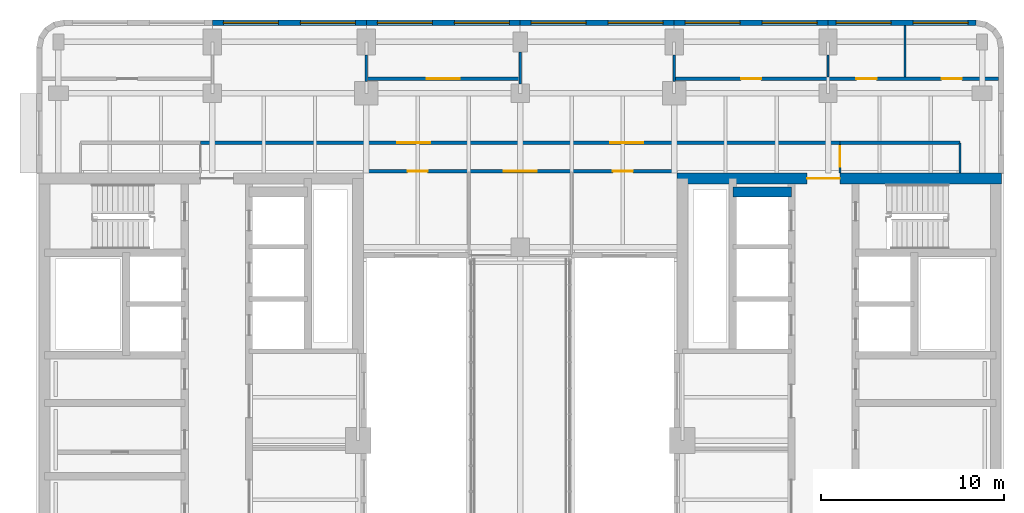
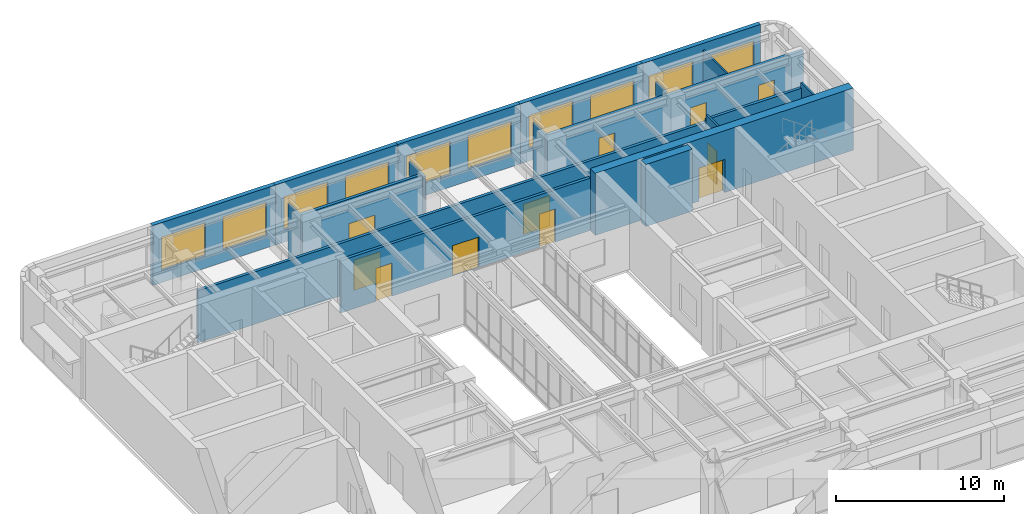
# One storey, part 10 of 14: 19 walls, 11 doors, 10 windows, 21 openings.
"""IFC4 building model written with IfcOpenShell, lengths in metres."""

from ifc_helpers import new_model, si_unit, direction, frame, frame_2d, origin, place, context, subcontext, project, spatial, rectangle, extrude, material, layer, layer_set, type_object, element, fill, save


model = new_model("IFC4")

# Units and contexts
model_context = context("Model", 3, precision=1e-05, world=origin(), true_north=direction((0.0, 1.0)))
body_context = subcontext(model_context, "Body", "Model", "MODEL_VIEW")
ifc_project = project(units=[si_unit("LENGTHUNIT", "METRE"), si_unit("AREAUNIT", "SQUARE_METRE"), si_unit("VOLUMEUNIT", "CUBIC_METRE"), si_unit("PLANEANGLEUNIT", "RADIAN"), si_unit("MASSUNIT", "GRAM", prefix="KILO")], contexts=[model_context])

# Site, building, storey
site_placement = place(None, origin())
site = spatial("IfcSite", under=ifc_project, at=site_placement, CompositionType="ELEMENT")
building_placement = place(site_placement, origin())
building = spatial("IfcBuilding", under=site, at=building_placement, Name="Claustro Exchange Tower", CompositionType="ELEMENT")
storey_placement = place(building_placement, frame((0.0, 0.0, 250.199951171875)))
storey = spatial("IfcBuildingStorey", under=building, at=storey_placement, Name="L57", CompositionType="ELEMENT", Elevation=250.199951171875)

# Walls
ifc_material_1 = material(Name="Laminated glass in aluminium frame", Category="aluminium")
ifc_layer_1 = layer(ifc_material_1, 0.1201171875)
ifc_layer_set_1 = layer_set([ifc_layer_1], Name="Laminated glass in aluminium frame")
wall_type_1 = type_object("IfcWallType", Name="P2 120 glazed partition", PredefinedType="PARTITIONING", material=ifc_layer_set_1)
wall_1_placement = place(storey_placement, frame((16.800048828125, 42.64794921875, 0.0), z_axis=(0.0, 0.0, 1.0), x_axis=(0.0, 1.0, 0.0)))
element("IfcWall", 1, at=wall_1_placement, inside=storey, type_object=wall_type_1, Name="Partition P2 L57", PredefinedType="PARTITIONING", context=body_context, shape_type="SweptSolid", body=[
    extrude(rectangle(XDim=1.453125, YDim=0.1201171875, at=frame_2d((0.7265625, 0.0))), origin(), (0.0, 0.0, 1.0), 3.989990234375),
])
wall_2_placement = place(storey_placement, frame((25.199951171875, 42.498046875, 0.0), z_axis=(0.0, 0.0, 1.0), x_axis=(0.0, 1.0, 0.0)))
element("IfcWall", 2, at=wall_2_placement, inside=storey, type_object=wall_type_1, Name="Partition P2 L57", PredefinedType="PARTITIONING", context=body_context, shape_type="SweptSolid", body=[
    extrude(rectangle(XDim=1.7529296875, YDim=0.1201171875, at=frame_2d((0.87646484375, 0.0))), origin(), (0.0, 0.0, 1.0), 3.989990234375),
])
wall_3_placement = place(storey_placement, frame((33.60009765625, 42.64794921875, 0.0), z_axis=(0.0, 0.0, 1.0), x_axis=(0.0, 1.0, 0.0)))
element("IfcWall", 3, at=wall_3_placement, inside=storey, type_object=wall_type_1, Name="Partition P2 L57", PredefinedType="PARTITIONING", context=body_context, shape_type="SweptSolid", body=[
    extrude(rectangle(XDim=1.453125, YDim=0.1201171875, at=frame_2d((0.7265625, 0.0))), origin(), (0.0, 0.0, 1.0), 3.989990234375),
])
wall_4_placement = place(storey_placement, frame((42.0, 42.89794921875, 0.0), z_axis=(0.0, 0.0, 1.0), x_axis=(0.0, 1.0, 0.0)))
element("IfcWall", 4, at=wall_4_placement, inside=storey, type_object=wall_type_1, Name="Partition P2 L57", PredefinedType="PARTITIONING", context=body_context, shape_type="SweptSolid", body=[
    extrude(rectangle(XDim=1.203125, YDim=0.1201171875, at=frame_2d((0.6015625, 0.0))), origin(), (0.0, 0.0, 1.0), 3.989990234375),
])
wall_5_placement = place(storey_placement, frame((46.199951171875, 42.89794921875, 0.0), z_axis=(0.0, 0.0, 1.0), x_axis=(0.0, 1.0, 0.0)))
element("IfcWall", 5, at=wall_5_placement, inside=storey, type_object=wall_type_1, Name="Partition P2 L57", PredefinedType="PARTITIONING", context=body_context, shape_type="SweptSolid", body=[
    extrude(rectangle(XDim=2.803955078125, YDim=0.1201171875, at=frame_2d((1.40185546875, 0.0))), origin(), (0.0, 0.0, 1.0), 3.860107421875),
])

# Wall, opening, door
wall_6_placement = place(storey_placement, frame((42.64990234375, 37.64794921875, 0.0), z_axis=(0.0, 0.0, 1.0), x_axis=(0.0, 1.0, 0.0)))
wall_6 = element("IfcWall", 6, at=wall_6_placement, inside=storey, type_object=wall_type_1, Name="Partition P2 L57", PredefinedType="PARTITIONING", context=body_context, shape_type="SweptSolid", body=[
    extrude(rectangle(XDim=1.553955078125, YDim=0.1201171875, at=frame_2d((0.77685546875, 0.0))), origin(), (0.0, 0.0, 1.0), 4.35009765625),
])
opening_1_placement = place(wall_6_placement, frame((0.35205078125, 0.0, 0.0)))
opening_1 = element("IfcOpeningElement", 7, at=opening_1_placement, cuts=wall_6, Name="Opening D8", PredefinedType="OPENING", context=body_context, shape_type="SweptSolid", body=[
    extrude(rectangle(XDim=1.10009765625, YDim=2.39990234375, at=frame_2d((0.550048828125, 1.199951171875))), frame((0.0, 0.070068359375, 0.0), z_axis=(0.0, -1.0, 0.0), x_axis=(1.0, 0.0, 0.0)), (0.0, 0.0, 1.0), 0.14013671875),
])
ifc_material_2 = material(Name="Timber door, walnut veneer", Category="wood")
door_type_1 = type_object("IfcDoorType", Name="D8 1100 x 2400 executive door", OperationType="SINGLE_SWING_LEFT", PredefinedType="DOOR", material=ifc_material_2)
door_1_placement = place(opening_1_placement, frame((1.10009765625, 0.0, 0.0), z_axis=(0.0, 0.0, 1.0), x_axis=(-1.0, 0.0, 0.0)))
door_1 = element("IfcDoor", 8, at=door_1_placement, inside=storey, type_object=door_type_1, Name="Door D8 L57", OperationType="SINGLE_SWING_LEFT", OverallHeight=2.39990234375, OverallWidth=1.10009765625, PredefinedType="DOOR", context=body_context, shape_type="SweptSolid", body=[
    extrude(rectangle(XDim=1.10009765625, YDim=2.39990234375, at=frame_2d((0.550048828125, 1.199951171875))), frame((0.0, 0.02490234375, 0.0), z_axis=(0.0, -1.0, 0.0), x_axis=(1.0, 0.0, 0.0)), (0.0, 0.0, 1.0), 0.050048828125),
])
fill(opening_1, door_1)

# Wall
wall_7_placement = place(storey_placement, frame((49.199951171875, 37.64794921875, 0.0), z_axis=(0.0, 0.0, 1.0), x_axis=(0.0, 1.0, 0.0)))
element("IfcWall", 9, at=wall_7_placement, inside=storey, type_object=wall_type_1, Name="Partition P2 L57", PredefinedType="PARTITIONING", context=body_context, shape_type="SweptSolid", body=[
    extrude(rectangle(XDim=1.652099609375, YDim=0.1201171875, at=frame_2d((0.826171875, 0.0))), origin(), (0.0, 0.0, 1.0), 4.35009765625),
])

# Wall, opening, door
ifc_material_3 = material(Name="Twin-skin gypsum board on steel studs, mineral wool", Category="steel")
ifc_layer_2 = layer(ifc_material_3, 0.199951171875)
ifc_layer_set_2 = layer_set([ifc_layer_2], Name="Twin-skin gypsum board on steel studs, mineral wool")
wall_type_2 = type_object("IfcWallType", Name="P3 200 acoustic partition", PredefinedType="PARTITIONING", material=ifc_layer_set_2)
wall_8_placement = place(storey_placement, frame((16.800048828125, 42.800048828125, 0.0), z_axis=(0.0, 0.0, 1.0), x_axis=(1.0, 0.0, 0.0)))
wall_8 = element("IfcWall", 10, at=wall_8_placement, inside=storey, type_object=wall_type_2, Name="Partition P3 L57", PredefinedType="PARTITIONING", context=body_context, shape_type="SweptSolid", body=[
    extrude(rectangle(XDim=8.39990234375, YDim=0.199951171875, at=frame_2d((4.199951171875, 0.0))), origin(), (0.0, 0.0, 1.0), 3.989990234375),
])
opening_2_placement = place(wall_8_placement, frame((3.300048828125, 0.0, 0.0)))
opening_2 = element("IfcOpeningElement", 11, at=opening_2_placement, cuts=wall_8, Name="Opening D2", PredefinedType="OPENING", context=body_context, shape_type="SweptSolid", body=[
    extrude(rectangle(XDim=1.800048828125, YDim=2.199951171875, at=frame_2d((0.89990234375, 1.10009765625))), frame((0.0, 0.10986328125, 0.0), z_axis=(0.0, -1.0, 0.0), x_axis=(1.0, 0.0, 0.0)), (0.0, 0.0, 1.0), 0.219970703125),
])
ifc_material_4 = material(Name="Timber door, oak veneer", Category="wood")
door_type_2 = type_object("IfcDoorType", Name="D2 1800 x 2200 double door", OperationType="DOUBLE_DOOR_SINGLE_SWING", PredefinedType="DOOR", material=ifc_material_4)
door_2_placement = place(opening_2_placement, origin())
door_2 = element("IfcDoor", 12, at=door_2_placement, inside=storey, type_object=door_type_2, Name="Double door D2 L57", OperationType="DOUBLE_DOOR_SINGLE_SWING", OverallHeight=2.199951171875, OverallWidth=1.800048828125, PredefinedType="DOOR", context=body_context, shape_type="SweptSolid", body=[
    extrude(rectangle(XDim=1.800048828125, YDim=2.199951171875, at=frame_2d((0.89990234375, 1.10009765625))), frame((0.0, 0.02490234375, 0.0), z_axis=(0.0, -1.0, 0.0), x_axis=(1.0, 0.0, 0.0)), (0.0, 0.0, 1.0), 0.050048828125),
])
fill(opening_2, door_2)

# Wall, openings, doors
wall_9_placement = place(storey_placement, frame((33.60009765625, 42.800048828125, 0.0), z_axis=(0.0, 0.0, 1.0), x_axis=(1.0, 0.0, 0.0)))
wall_9 = element("IfcWall", 13, at=wall_9_placement, inside=storey, type_object=wall_type_2, Name="Partition P3 L57", PredefinedType="PARTITIONING", context=body_context, shape_type="SweptSolid", body=[
    extrude(rectangle(XDim=17.701904296875, YDim=0.199951171875, at=frame_2d((8.85107421875, 0.0))), origin(), (0.0, 0.0, 1.0), 3.860107421875),
])
opening_3_placement = place(wall_9_placement, frame((3.64990234375, 0.0, 0.0)))
opening_3 = element("IfcOpeningElement", 14, at=opening_3_placement, cuts=wall_9, Name="Opening D8", PredefinedType="OPENING", context=body_context, shape_type="SweptSolid", body=[
    extrude(rectangle(XDim=1.10009765625, YDim=2.39990234375, at=frame_2d((0.550048828125, 1.199951171875))), frame((0.0, 0.10986328125, 0.0), z_axis=(0.0, -1.0, 0.0), x_axis=(1.0, 0.0, 0.0)), (0.0, 0.0, 1.0), 0.219970703125),
])
opening_4_placement = place(wall_9_placement, frame((9.949951171875, 0.0, 0.0)))
opening_4 = element("IfcOpeningElement", 15, at=opening_4_placement, cuts=wall_9, Name="Opening D8", PredefinedType="OPENING", context=body_context, shape_type="SweptSolid", body=[
    extrude(rectangle(XDim=1.10009765625, YDim=2.39990234375, at=frame_2d((0.550048828125, 1.199951171875))), frame((0.0, 0.10986328125, 0.0), z_axis=(0.0, -1.0, 0.0), x_axis=(1.0, 0.0, 0.0)), (0.0, 0.0, 1.0), 0.219970703125),
])
opening_5_placement = place(wall_9_placement, frame((14.60009765625, 0.0, 0.0)))
opening_5 = element("IfcOpeningElement", 16, at=opening_5_placement, cuts=wall_9, Name="Opening D8", PredefinedType="OPENING", context=body_context, shape_type="SweptSolid", body=[
    extrude(rectangle(XDim=1.10009765625, YDim=2.39990234375, at=frame_2d((0.550048828125, 1.199951171875))), frame((0.0, 0.10986328125, 0.0), z_axis=(0.0, -1.0, 0.0), x_axis=(1.0, 0.0, 0.0)), (0.0, 0.0, 1.0), 0.219970703125),
])
door_3_placement = place(opening_3_placement, origin())
door_3 = element("IfcDoor", 17, at=door_3_placement, inside=storey, type_object=door_type_1, Name="Door D8 L57", OperationType="SINGLE_SWING_RIGHT", OverallHeight=2.39990234375, OverallWidth=1.10009765625, PredefinedType="DOOR", context=body_context, shape_type="SweptSolid", body=[
    extrude(rectangle(XDim=1.10009765625, YDim=2.39990234375, at=frame_2d((0.550048828125, 1.199951171875))), frame((0.0, 0.02490234375, 0.0), z_axis=(0.0, -1.0, 0.0), x_axis=(1.0, 0.0, 0.0)), (0.0, 0.0, 1.0), 0.050048828125),
])
fill(opening_3, door_3)
door_4_placement = place(opening_4_placement, origin())
door_4 = element("IfcDoor", 18, at=door_4_placement, inside=storey, type_object=door_type_1, Name="Door D8 L57", OperationType="SINGLE_SWING_LEFT", OverallHeight=2.39990234375, OverallWidth=1.10009765625, PredefinedType="DOOR", context=body_context, shape_type="SweptSolid", body=[
    extrude(rectangle(XDim=1.10009765625, YDim=2.39990234375, at=frame_2d((0.550048828125, 1.199951171875))), frame((0.0, 0.02490234375, 0.0), z_axis=(0.0, -1.0, 0.0), x_axis=(1.0, 0.0, 0.0)), (0.0, 0.0, 1.0), 0.050048828125),
])
fill(opening_4, door_4)
door_5_placement = place(opening_5_placement, origin())
door_5 = element("IfcDoor", 19, at=door_5_placement, inside=storey, type_object=door_type_1, Name="Door D8 L57", OperationType="SINGLE_SWING_LEFT", OverallHeight=2.39990234375, OverallWidth=1.10009765625, PredefinedType="DOOR", context=body_context, shape_type="SweptSolid", body=[
    extrude(rectangle(XDim=1.10009765625, YDim=2.39990234375, at=frame_2d((0.550048828125, 1.199951171875))), frame((0.0, 0.02490234375, 0.0), z_axis=(0.0, -1.0, 0.0), x_axis=(1.0, 0.0, 0.0)), (0.0, 0.0, 1.0), 0.050048828125),
])
fill(opening_5, door_5)

wall_10_placement = place(storey_placement, frame((7.748046875, 39.300048828125, 0.0), z_axis=(0.0, 0.0, 1.0), x_axis=(1.0, 0.0, 0.0)))
wall_10 = element("IfcWall", 20, at=wall_10_placement, inside=storey, type_object=wall_type_2, Name="Partition P3 L57", PredefinedType="PARTITIONING", context=body_context, shape_type="SweptSolid", body=[
    extrude(rectangle(XDim=34.904052734375, YDim=0.199951171875, at=frame_2d((17.4521484375, 0.0))), origin(), (0.0, 0.0, 1.0), 3.800048828125),
])
opening_6_placement = place(wall_10_placement, frame((10.7353515625, 0.0, 0.0)))
opening_6 = element("IfcOpeningElement", 21, at=opening_6_placement, cuts=wall_10, Name="Opening D2", PredefinedType="OPENING", context=body_context, shape_type="SweptSolid", body=[
    extrude(rectangle(XDim=1.800048828125, YDim=2.199951171875, at=frame_2d((0.89990234375, 1.10009765625))), frame((0.0, 0.10986328125, 0.0), z_axis=(0.0, -1.0, 0.0), x_axis=(1.0, 0.0, 0.0)), (0.0, 0.0, 1.0), 0.219970703125),
])
opening_7_placement = place(wall_10_placement, frame((22.36865234375, 0.0, 0.0)))
opening_7 = element("IfcOpeningElement", 22, at=opening_7_placement, cuts=wall_10, Name="Opening D2", PredefinedType="OPENING", context=body_context, shape_type="SweptSolid", body=[
    extrude(rectangle(XDim=1.800048828125, YDim=2.199951171875, at=frame_2d((0.89990234375, 1.10009765625))), frame((0.0, 0.10986328125, 0.0), z_axis=(0.0, -1.0, 0.0), x_axis=(1.0, 0.0, 0.0)), (0.0, 0.0, 1.0), 0.219970703125),
])
door_6_placement = place(opening_6_placement, frame((1.800048828125, 0.0, 0.0), z_axis=(0.0, 0.0, 1.0), x_axis=(-1.0, 0.0, 0.0)))
door_6 = element("IfcDoor", 23, at=door_6_placement, inside=storey, type_object=door_type_2, Name="Double door D2 L57", OperationType="DOUBLE_DOOR_SINGLE_SWING", OverallHeight=2.199951171875, OverallWidth=1.800048828125, PredefinedType="DOOR", context=body_context, shape_type="SweptSolid", body=[
    extrude(rectangle(XDim=1.800048828125, YDim=2.199951171875, at=frame_2d((0.89990234375, 1.10009765625))), frame((0.0, 0.02490234375, 0.0), z_axis=(0.0, -1.0, 0.0), x_axis=(1.0, 0.0, 0.0)), (0.0, 0.0, 1.0), 0.050048828125),
])
fill(opening_6, door_6)
door_7_placement = place(opening_7_placement, frame((1.800048828125, 0.0, 0.0), z_axis=(0.0, 0.0, 1.0), x_axis=(-1.0, 0.0, 0.0)))
door_7 = element("IfcDoor", 24, at=door_7_placement, inside=storey, type_object=door_type_2, Name="Double door D2 L57", OperationType="DOUBLE_DOOR_SINGLE_SWING", OverallHeight=2.199951171875, OverallWidth=1.800048828125, PredefinedType="DOOR", context=body_context, shape_type="SweptSolid", body=[
    extrude(rectangle(XDim=1.800048828125, YDim=2.199951171875, at=frame_2d((0.89990234375, 1.10009765625))), frame((0.0, 0.02490234375, 0.0), z_axis=(0.0, -1.0, 0.0), x_axis=(1.0, 0.0, 0.0)), (0.0, 0.0, 1.0), 0.050048828125),
])
fill(opening_7, door_7)

# Wall
wall_11_placement = place(storey_placement, frame((42.64794921875, 39.300048828125, 0.0), z_axis=(0.0, 0.0, 1.0), x_axis=(1.0, 0.0, 0.0)))
element("IfcWall", 25, at=wall_11_placement, inside=storey, type_object=wall_type_2, Name="Partition P3 L57", PredefinedType="PARTITIONING", context=body_context, shape_type="SweptSolid", body=[
    extrude(rectangle(XDim=6.552001953125, YDim=0.199951171875, at=frame_2d((3.27587890625, 0.0))), origin(), (0.0, 0.0, 1.0), 3.989990234375),
])

# Wall, openings, doors
wall_12_placement = place(storey_placement, frame((16.64990234375, 37.75, 0.0), z_axis=(0.0, 0.0, 1.0), x_axis=(1.0, 0.0, 0.0)))
wall_12 = element("IfcWall", 26, at=wall_12_placement, inside=storey, type_object=wall_type_2, Name="Partition P3 L57", PredefinedType="PARTITIONING", context=body_context, shape_type="SweptSolid", body=[
    extrude(rectangle(XDim=17.10009765625, YDim=0.199951171875, at=frame_2d((8.550048828125, 0.0))), origin(), (0.0, 0.0, 1.0), 3.800048828125),
])
opening_8_placement = place(wall_12_placement, frame((2.400390625, 0.0, 0.0)))
opening_8 = element("IfcOpeningElement", 27, at=opening_8_placement, cuts=wall_12, Name="Opening D8", PredefinedType="OPENING", context=body_context, shape_type="SweptSolid", body=[
    extrude(rectangle(XDim=1.10009765625, YDim=2.39990234375, at=frame_2d((0.550048828125, 1.199951171875))), frame((0.0, 0.10986328125, 0.0), z_axis=(0.0, -1.0, 0.0), x_axis=(1.0, 0.0, 0.0)), (0.0, 0.0, 1.0), 0.219970703125),
])
opening_9_placement = place(wall_12_placement, frame((7.650146484375, 0.0, 0.0)))
opening_9 = element("IfcOpeningElement", 28, at=opening_9_placement, cuts=wall_12, Name="Opening D2", PredefinedType="OPENING", context=body_context, shape_type="SweptSolid", body=[
    extrude(rectangle(XDim=1.800048828125, YDim=2.199951171875, at=frame_2d((0.89990234375, 1.10009765625))), frame((0.0, 0.10986328125, 0.0), z_axis=(0.0, -1.0, 0.0), x_axis=(1.0, 0.0, 0.0)), (0.0, 0.0, 1.0), 0.219970703125),
])
opening_10_placement = place(wall_12_placement, frame((13.60009765625, 0.0, 0.0)))
opening_10 = element("IfcOpeningElement", 29, at=opening_10_placement, cuts=wall_12, Name="Opening D8", PredefinedType="OPENING", context=body_context, shape_type="SweptSolid", body=[
    extrude(rectangle(XDim=1.10009765625, YDim=2.39990234375, at=frame_2d((0.550048828125, 1.199951171875))), frame((0.0, 0.10986328125, 0.0), z_axis=(0.0, -1.0, 0.0), x_axis=(1.0, 0.0, 0.0)), (0.0, 0.0, 1.0), 0.219970703125),
])
door_8_placement = place(opening_9_placement, origin())
door_8 = element("IfcDoor", 30, at=door_8_placement, inside=storey, type_object=door_type_2, Name="Double door D2 L57", OperationType="DOUBLE_DOOR_SINGLE_SWING", OverallHeight=2.199951171875, OverallWidth=1.800048828125, PredefinedType="DOOR", context=body_context, shape_type="SweptSolid", body=[
    extrude(rectangle(XDim=1.800048828125, YDim=2.199951171875, at=frame_2d((0.89990234375, 1.10009765625))), frame((0.0, 0.02490234375, 0.0), z_axis=(0.0, -1.0, 0.0), x_axis=(1.0, 0.0, 0.0)), (0.0, 0.0, 1.0), 0.050048828125),
])
fill(opening_9, door_8)
door_9_placement = place(opening_8_placement, frame((1.10009765625, 0.0, 0.0), z_axis=(0.0, 0.0, 1.0), x_axis=(-1.0, 0.0, 0.0)))
door_9 = element("IfcDoor", 31, at=door_9_placement, inside=storey, type_object=door_type_1, Name="Door D8 L57", OperationType="SINGLE_SWING_LEFT", OverallHeight=2.39990234375, OverallWidth=1.10009765625, PredefinedType="DOOR", context=body_context, shape_type="SweptSolid", body=[
    extrude(rectangle(XDim=1.10009765625, YDim=2.39990234375, at=frame_2d((0.550048828125, 1.199951171875))), frame((0.0, 0.02490234375, 0.0), z_axis=(0.0, -1.0, 0.0), x_axis=(1.0, 0.0, 0.0)), (0.0, 0.0, 1.0), 0.050048828125),
])
fill(opening_8, door_9)
door_10_placement = place(opening_10_placement, frame((1.10009765625, 0.0, 0.0), z_axis=(0.0, 0.0, 1.0), x_axis=(-1.0, 0.0, 0.0)))
door_10 = element("IfcDoor", 32, at=door_10_placement, inside=storey, type_object=door_type_1, Name="Door D8 L57", OperationType="SINGLE_SWING_LEFT", OverallHeight=2.39990234375, OverallWidth=1.10009765625, PredefinedType="DOOR", context=body_context, shape_type="SweptSolid", body=[
    extrude(rectangle(XDim=1.10009765625, YDim=2.39990234375, at=frame_2d((0.550048828125, 1.199951171875))), frame((0.0, 0.02490234375, 0.0), z_axis=(0.0, -1.0, 0.0), x_axis=(1.0, 0.0, 0.0)), (0.0, 0.0, 1.0), 0.050048828125),
])
fill(opening_10, door_10)

# Wall, openings, windows
ifc_material_5 = material(Name="Concrete HA-40 (C40/50), precast, white cement, acid-etched", Category="concrete")
ifc_layer_3 = layer(ifc_material_5, 0.300048828125)
ifc_layer_set_3 = layer_set([ifc_layer_3], Name="Concrete HA-40 (C40/50), precast, white cement, acid-etched")
wall_type_3 = type_object("IfcWallType", Name="PC1 300 precast concrete pier panel", PredefinedType="SOLIDWALL", material=ifc_layer_set_3)
wall_13_placement = place(storey_placement, frame((8.39990234375, 45.85009765625, 0.0), z_axis=(0.0, 0.0, 1.0), x_axis=(1.0, 0.0, 0.0)))
wall_13 = element("IfcWall", 33, at=wall_13_placement, inside=storey, type_object=wall_type_3, Name="Precast pier panel PC1 L57", PredefinedType="SOLIDWALL", context=body_context, shape_type="SweptSolid", body=[
    extrude(rectangle(XDim=8.400146484375, YDim=0.300048828125, at=frame_2d((4.2001953125, 0.0))), origin(), (0.0, 0.0, 1.0), 4.35009765625),
])
opening_11_placement = place(wall_13_placement, frame((0.60009765625, 0.0, 0.89990234375)))
opening_11 = element("IfcOpeningElement", 34, at=opening_11_placement, cuts=wall_13, Name="Opening W3", PredefinedType="OPENING", context=body_context, shape_type="SweptSolid", body=[
    extrude(rectangle(XDim=3.0, YDim=2.39990234375, at=frame_2d((1.5, 1.199951171875))), frame((0.0, 0.159912109375, 0.0), z_axis=(0.0, -1.0, 0.0), x_axis=(1.0, 0.0, 0.0)), (0.0, 0.0, 1.0), 0.320068359375),
])
opening_12_placement = place(wall_13_placement, frame((4.800048828125, 0.0, 0.89990234375)))
opening_12 = element("IfcOpeningElement", 35, at=opening_12_placement, cuts=wall_13, Name="Opening W3", PredefinedType="OPENING", context=body_context, shape_type="SweptSolid", body=[
    extrude(rectangle(XDim=3.0, YDim=2.39990234375, at=frame_2d((1.5, 1.199951171875))), frame((0.0, 0.159912109375, 0.0), z_axis=(0.0, -1.0, 0.0), x_axis=(1.0, 0.0, 0.0)), (0.0, 0.0, 1.0), 0.320068359375),
])
ifc_material_6 = material(Name="Aluminium frame, clear double glazing", Category="aluminium")
window_type = type_object("IfcWindowType", Name="W3 3000 x 2400 window", PartitioningType="SINGLE_PANEL", PredefinedType="WINDOW", material=ifc_material_6)
window_1_placement = place(opening_11_placement, origin())
window_1 = element("IfcWindow", 36, at=window_1_placement, inside=storey, type_object=window_type, Name="Window W3 L57", OverallHeight=2.39990234375, OverallWidth=3.0, PartitioningType="SINGLE_PANEL", PredefinedType="WINDOW", context=body_context, shape_type="SweptSolid", body=[
    extrude(rectangle(XDim=3.0, YDim=2.39990234375, at=frame_2d((1.5, 1.199951171875))), frame((0.0, 0.030029296875, 0.0), z_axis=(0.0, -1.0, 0.0), x_axis=(1.0, 0.0, 0.0)), (0.0, 0.0, 1.0), 0.06005859375),
])
fill(opening_11, window_1)
window_2_placement = place(opening_12_placement, origin())
window_2 = element("IfcWindow", 37, at=window_2_placement, inside=storey, type_object=window_type, Name="Window W3 L57", OverallHeight=2.39990234375, OverallWidth=3.0, PartitioningType="SINGLE_PANEL", PredefinedType="WINDOW", context=body_context, shape_type="SweptSolid", body=[
    extrude(rectangle(XDim=3.0, YDim=2.39990234375, at=frame_2d((1.5, 1.199951171875))), frame((0.0, 0.030029296875, 0.0), z_axis=(0.0, -1.0, 0.0), x_axis=(1.0, 0.0, 0.0)), (0.0, 0.0, 1.0), 0.06005859375),
])
fill(opening_12, window_2)

wall_14_placement = place(storey_placement, frame((16.800048828125, 45.85009765625, 0.0), z_axis=(0.0, 0.0, 1.0), x_axis=(1.0, 0.0, 0.0)))
wall_14 = element("IfcWall", 38, at=wall_14_placement, inside=storey, type_object=wall_type_3, Name="Precast pier panel PC1 L57", PredefinedType="SOLIDWALL", context=body_context, shape_type="SweptSolid", body=[
    extrude(rectangle(XDim=8.39990234375, YDim=0.300048828125, at=frame_2d((4.199951171875, 0.0))), origin(), (0.0, 0.0, 1.0), 4.35009765625),
])
opening_13_placement = place(wall_14_placement, frame((0.60009765625, 0.0, 0.89990234375)))
opening_13 = element("IfcOpeningElement", 39, at=opening_13_placement, cuts=wall_14, Name="Opening W3", PredefinedType="OPENING", context=body_context, shape_type="SweptSolid", body=[
    extrude(rectangle(XDim=3.0, YDim=2.39990234375, at=frame_2d((1.5, 1.199951171875))), frame((0.0, 0.159912109375, 0.0), z_axis=(0.0, -1.0, 0.0), x_axis=(1.0, 0.0, 0.0)), (0.0, 0.0, 1.0), 0.320068359375),
])
opening_14_placement = place(wall_14_placement, frame((4.800048828125, 0.0, 0.89990234375)))
opening_14 = element("IfcOpeningElement", 40, at=opening_14_placement, cuts=wall_14, Name="Opening W3", PredefinedType="OPENING", context=body_context, shape_type="SweptSolid", body=[
    extrude(rectangle(XDim=3.0, YDim=2.39990234375, at=frame_2d((1.5, 1.199951171875))), frame((0.0, 0.159912109375, 0.0), z_axis=(0.0, -1.0, 0.0), x_axis=(1.0, 0.0, 0.0)), (0.0, 0.0, 1.0), 0.320068359375),
])
window_3_placement = place(opening_13_placement, origin())
window_3 = element("IfcWindow", 41, at=window_3_placement, inside=storey, type_object=window_type, Name="Window W3 L57", OverallHeight=2.39990234375, OverallWidth=3.0, PartitioningType="SINGLE_PANEL", PredefinedType="WINDOW", context=body_context, shape_type="SweptSolid", body=[
    extrude(rectangle(XDim=3.0, YDim=2.39990234375, at=frame_2d((1.5, 1.199951171875))), frame((0.0, 0.030029296875, 0.0), z_axis=(0.0, -1.0, 0.0), x_axis=(1.0, 0.0, 0.0)), (0.0, 0.0, 1.0), 0.06005859375),
])
fill(opening_13, window_3)
window_4_placement = place(opening_14_placement, origin())
window_4 = element("IfcWindow", 42, at=window_4_placement, inside=storey, type_object=window_type, Name="Window W3 L57", OverallHeight=2.39990234375, OverallWidth=3.0, PartitioningType="SINGLE_PANEL", PredefinedType="WINDOW", context=body_context, shape_type="SweptSolid", body=[
    extrude(rectangle(XDim=3.0, YDim=2.39990234375, at=frame_2d((1.5, 1.199951171875))), frame((0.0, 0.030029296875, 0.0), z_axis=(0.0, -1.0, 0.0), x_axis=(1.0, 0.0, 0.0)), (0.0, 0.0, 1.0), 0.06005859375),
])
fill(opening_14, window_4)

wall_15_placement = place(storey_placement, frame((25.199951171875, 45.85009765625, 0.0), z_axis=(0.0, 0.0, 1.0), x_axis=(1.0, 0.0, 0.0)))
wall_15 = element("IfcWall", 43, at=wall_15_placement, inside=storey, type_object=wall_type_3, Name="Precast pier panel PC1 L57", PredefinedType="SOLIDWALL", context=body_context, shape_type="SweptSolid", body=[
    extrude(rectangle(XDim=8.400146484375, YDim=0.300048828125, at=frame_2d((4.2001953125, 0.0))), origin(), (0.0, 0.0, 1.0), 4.35009765625),
])
opening_15_placement = place(wall_15_placement, frame((0.60009765625, 0.0, 0.89990234375)))
opening_15 = element("IfcOpeningElement", 44, at=opening_15_placement, cuts=wall_15, Name="Opening W3", PredefinedType="OPENING", context=body_context, shape_type="SweptSolid", body=[
    extrude(rectangle(XDim=3.0, YDim=2.39990234375, at=frame_2d((1.5, 1.199951171875))), frame((0.0, 0.159912109375, 0.0), z_axis=(0.0, -1.0, 0.0), x_axis=(1.0, 0.0, 0.0)), (0.0, 0.0, 1.0), 0.320068359375),
])
opening_16_placement = place(wall_15_placement, frame((4.800048828125, 0.0, 0.89990234375)))
opening_16 = element("IfcOpeningElement", 45, at=opening_16_placement, cuts=wall_15, Name="Opening W3", PredefinedType="OPENING", context=body_context, shape_type="SweptSolid", body=[
    extrude(rectangle(XDim=3.0, YDim=2.39990234375, at=frame_2d((1.5, 1.199951171875))), frame((0.0, 0.159912109375, 0.0), z_axis=(0.0, -1.0, 0.0), x_axis=(1.0, 0.0, 0.0)), (0.0, 0.0, 1.0), 0.320068359375),
])
window_5_placement = place(opening_15_placement, origin())
window_5 = element("IfcWindow", 46, at=window_5_placement, inside=storey, type_object=window_type, Name="Window W3 L57", OverallHeight=2.39990234375, OverallWidth=3.0, PartitioningType="SINGLE_PANEL", PredefinedType="WINDOW", context=body_context, shape_type="SweptSolid", body=[
    extrude(rectangle(XDim=3.0, YDim=2.39990234375, at=frame_2d((1.5, 1.199951171875))), frame((0.0, 0.030029296875, 0.0), z_axis=(0.0, -1.0, 0.0), x_axis=(1.0, 0.0, 0.0)), (0.0, 0.0, 1.0), 0.06005859375),
])
fill(opening_15, window_5)
window_6_placement = place(opening_16_placement, origin())
window_6 = element("IfcWindow", 47, at=window_6_placement, inside=storey, type_object=window_type, Name="Window W3 L57", OverallHeight=2.39990234375, OverallWidth=3.0, PartitioningType="SINGLE_PANEL", PredefinedType="WINDOW", context=body_context, shape_type="SweptSolid", body=[
    extrude(rectangle(XDim=3.0, YDim=2.39990234375, at=frame_2d((1.5, 1.199951171875))), frame((0.0, 0.030029296875, 0.0), z_axis=(0.0, -1.0, 0.0), x_axis=(1.0, 0.0, 0.0)), (0.0, 0.0, 1.0), 0.06005859375),
])
fill(opening_16, window_6)

wall_16_placement = place(storey_placement, frame((33.60009765625, 45.85009765625, 0.0), z_axis=(0.0, 0.0, 1.0), x_axis=(1.0, 0.0, 0.0)))
wall_16 = element("IfcWall", 48, at=wall_16_placement, inside=storey, type_object=wall_type_3, Name="Precast pier panel PC1 L57", PredefinedType="SOLIDWALL", context=body_context, shape_type="SweptSolid", body=[
    extrude(rectangle(XDim=8.39990234375, YDim=0.300048828125, at=frame_2d((4.199951171875, 0.0))), origin(), (0.0, 0.0, 1.0), 4.35009765625),
])
opening_17_placement = place(wall_16_placement, frame((0.60009765625, 0.0, 0.89990234375)))
opening_17 = element("IfcOpeningElement", 49, at=opening_17_placement, cuts=wall_16, Name="Opening W3", PredefinedType="OPENING", context=body_context, shape_type="SweptSolid", body=[
    extrude(rectangle(XDim=3.0, YDim=2.39990234375, at=frame_2d((1.5, 1.199951171875))), frame((0.0, 0.159912109375, 0.0), z_axis=(0.0, -1.0, 0.0), x_axis=(1.0, 0.0, 0.0)), (0.0, 0.0, 1.0), 0.320068359375),
])
opening_18_placement = place(wall_16_placement, frame((4.800048828125, 0.0, 0.89990234375)))
opening_18 = element("IfcOpeningElement", 50, at=opening_18_placement, cuts=wall_16, Name="Opening W3", PredefinedType="OPENING", context=body_context, shape_type="SweptSolid", body=[
    extrude(rectangle(XDim=3.0, YDim=2.39990234375, at=frame_2d((1.5, 1.199951171875))), frame((0.0, 0.159912109375, 0.0), z_axis=(0.0, -1.0, 0.0), x_axis=(1.0, 0.0, 0.0)), (0.0, 0.0, 1.0), 0.320068359375),
])
window_7_placement = place(opening_17_placement, origin())
window_7 = element("IfcWindow", 51, at=window_7_placement, inside=storey, type_object=window_type, Name="Window W3 L57", OverallHeight=2.39990234375, OverallWidth=3.0, PartitioningType="SINGLE_PANEL", PredefinedType="WINDOW", context=body_context, shape_type="SweptSolid", body=[
    extrude(rectangle(XDim=3.0, YDim=2.39990234375, at=frame_2d((1.5, 1.199951171875))), frame((0.0, 0.030029296875, 0.0), z_axis=(0.0, -1.0, 0.0), x_axis=(1.0, 0.0, 0.0)), (0.0, 0.0, 1.0), 0.06005859375),
])
fill(opening_17, window_7)
window_8_placement = place(opening_18_placement, origin())
window_8 = element("IfcWindow", 52, at=window_8_placement, inside=storey, type_object=window_type, Name="Window W3 L57", OverallHeight=2.39990234375, OverallWidth=3.0, PartitioningType="SINGLE_PANEL", PredefinedType="WINDOW", context=body_context, shape_type="SweptSolid", body=[
    extrude(rectangle(XDim=3.0, YDim=2.39990234375, at=frame_2d((1.5, 1.199951171875))), frame((0.0, 0.030029296875, 0.0), z_axis=(0.0, -1.0, 0.0), x_axis=(1.0, 0.0, 0.0)), (0.0, 0.0, 1.0), 0.06005859375),
])
fill(opening_18, window_8)

wall_17_placement = place(storey_placement, frame((42.0, 45.85009765625, 0.0), z_axis=(0.0, 0.0, 1.0), x_axis=(1.0, 0.0, 0.0)))
wall_17 = element("IfcWall", 53, at=wall_17_placement, inside=storey, type_object=wall_type_3, Name="Precast pier panel PC1 L57", PredefinedType="SOLIDWALL", context=body_context, shape_type="SweptSolid", body=[
    extrude(rectangle(XDim=8.085205078125, YDim=0.300048828125, at=frame_2d((4.04248046875, 0.0))), origin(), (0.0, 0.0, 1.0), 4.35009765625),
])
opening_19_placement = place(wall_17_placement, frame((0.442626953125, 0.0, 0.89990234375)))
opening_19 = element("IfcOpeningElement", 54, at=opening_19_placement, cuts=wall_17, Name="Opening W3", PredefinedType="OPENING", context=body_context, shape_type="SweptSolid", body=[
    extrude(rectangle(XDim=3.0, YDim=2.39990234375, at=frame_2d((1.5, 1.199951171875))), frame((0.0, 0.159912109375, 0.0), z_axis=(0.0, -1.0, 0.0), x_axis=(1.0, 0.0, 0.0)), (0.0, 0.0, 1.0), 0.320068359375),
])
opening_20_placement = place(wall_17_placement, frame((4.642578125, 0.0, 0.89990234375)))
opening_20 = element("IfcOpeningElement", 55, at=opening_20_placement, cuts=wall_17, Name="Opening W3", PredefinedType="OPENING", context=body_context, shape_type="SweptSolid", body=[
    extrude(rectangle(XDim=3.0, YDim=2.39990234375, at=frame_2d((1.5, 1.199951171875))), frame((0.0, 0.159912109375, 0.0), z_axis=(0.0, -1.0, 0.0), x_axis=(1.0, 0.0, 0.0)), (0.0, 0.0, 1.0), 0.320068359375),
])
window_9_placement = place(opening_19_placement, origin())
window_9 = element("IfcWindow", 56, at=window_9_placement, inside=storey, type_object=window_type, Name="Window W3 L57", OverallHeight=2.39990234375, OverallWidth=3.0, PartitioningType="SINGLE_PANEL", PredefinedType="WINDOW", context=body_context, shape_type="SweptSolid", body=[
    extrude(rectangle(XDim=3.0, YDim=2.39990234375, at=frame_2d((1.5, 1.199951171875))), frame((0.0, 0.030029296875, 0.0), z_axis=(0.0, -1.0, 0.0), x_axis=(1.0, 0.0, 0.0)), (0.0, 0.0, 1.0), 0.06005859375),
])
fill(opening_19, window_9)
window_10_placement = place(opening_20_placement, origin())
window_10 = element("IfcWindow", 57, at=window_10_placement, inside=storey, type_object=window_type, Name="Window W3 L57", OverallHeight=2.39990234375, OverallWidth=3.0, PartitioningType="SINGLE_PANEL", PredefinedType="WINDOW", context=body_context, shape_type="SweptSolid", body=[
    extrude(rectangle(XDim=3.0, YDim=2.39990234375, at=frame_2d((1.5, 1.199951171875))), frame((0.0, 0.030029296875, 0.0), z_axis=(0.0, -1.0, 0.0), x_axis=(1.0, 0.0, 0.0)), (0.0, 0.0, 1.0), 0.06005859375),
])
fill(opening_20, window_10)

# Wall, opening, door
ifc_material_7 = material(Name="Concrete HA-50 (C50/60)", Category="concrete")
ifc_layer_4 = layer(ifc_material_7, 0.60009765625)
ifc_layer_set_4 = layer_set([ifc_layer_4], Name="Concrete HA-50 (C50/60)")
wall_type_4 = type_object("IfcWallType", Name="SW3 600 core shear wall", PredefinedType="SHEAR", material=ifc_layer_set_4)
wall_18_placement = place(storey_placement, frame((33.75, 37.35009765625, 0.0), z_axis=(0.0, 0.0, 1.0), x_axis=(1.0, 0.0, 0.0)))
wall_18 = element("IfcWall", 58, at=wall_18_placement, inside=storey, type_object=wall_type_4, Name="Core wall SW3 E core N face L57", PredefinedType="SHEAR", context=body_context, shape_type="SweptSolid", body=[
    extrude(rectangle(XDim=17.699951171875, YDim=0.60009765625, at=frame_2d((8.85009765625, 0.0))), origin(), (0.0, 0.0, 1.0), 4.5),
])
opening_21_placement = place(wall_18_placement, frame((7.10009765625, 0.0, 0.0)))
opening_21 = element("IfcOpeningElement", 59, at=opening_21_placement, cuts=wall_18, Name="Opening D3", PredefinedType="OPENING", context=body_context, shape_type="SweptSolid", body=[
    extrude(rectangle(XDim=1.800048828125, YDim=2.39990234375, at=frame_2d((0.89990234375, 1.199951171875))), frame((0.0, 0.31005859375, 0.0), z_axis=(0.0, -1.0, 0.0), x_axis=(1.0, 0.0, 0.0)), (0.0, 0.0, 1.0), 0.6201171875),
])
ifc_material_8 = material(Name="Steel fire door, painted", Category="steel")
door_type_3 = type_object("IfcDoorType", Name="D3 1800 x 2400 fire-rated lobby double door", OperationType="DOUBLE_DOOR_SINGLE_SWING", PredefinedType="DOOR", material=ifc_material_8)
door_11_placement = place(opening_21_placement, origin())
door_11 = element("IfcDoor", 60, at=door_11_placement, inside=storey, type_object=door_type_3, Name="Lift lobby door D3 L57", OperationType="DOUBLE_DOOR_SINGLE_SWING", OverallHeight=2.39990234375, OverallWidth=1.800048828125, PredefinedType="DOOR", context=body_context, shape_type="SweptSolid", body=[
    extrude(rectangle(XDim=1.800048828125, YDim=2.39990234375, at=frame_2d((0.89990234375, 1.199951171875))), frame((0.0, 0.02490234375, 0.0), z_axis=(0.0, -1.0, 0.0), x_axis=(1.0, 0.0, 0.0)), (0.0, 0.0, 1.0), 0.050048828125),
])
fill(opening_21, door_11)

# Wall
ifc_material_9 = material(Name="Concrete HA-50 (C50/60)", Category="concrete")
ifc_layer_5 = layer(ifc_material_9, 0.550048828125)
ifc_layer_set_5 = layer_set([ifc_layer_5], Name="Concrete HA-50 (C50/60)")
wall_type_5 = type_object("IfcWallType", Name="SW6 550 lift shaft end wall", PredefinedType="SHEAR", material=ifc_layer_set_5)
wall_19_placement = place(storey_placement, frame((40.0, 36.625, 0.0), z_axis=(0.0, 0.0, 1.0), x_axis=(-1.0, 0.0, 0.0)))
element("IfcWall", 61, at=wall_19_placement, inside=storey, type_object=wall_type_5, Name="Lift shaft wall E core L57", PredefinedType="SHEAR", context=body_context, shape_type="SweptSolid", body=[
    extrude(rectangle(XDim=3.199951171875, YDim=0.550048828125, at=frame_2d((1.60009765625, 0.0))), origin(), (0.0, 0.0, 1.0), 4.5),
])

save(model, "model.ifc")
